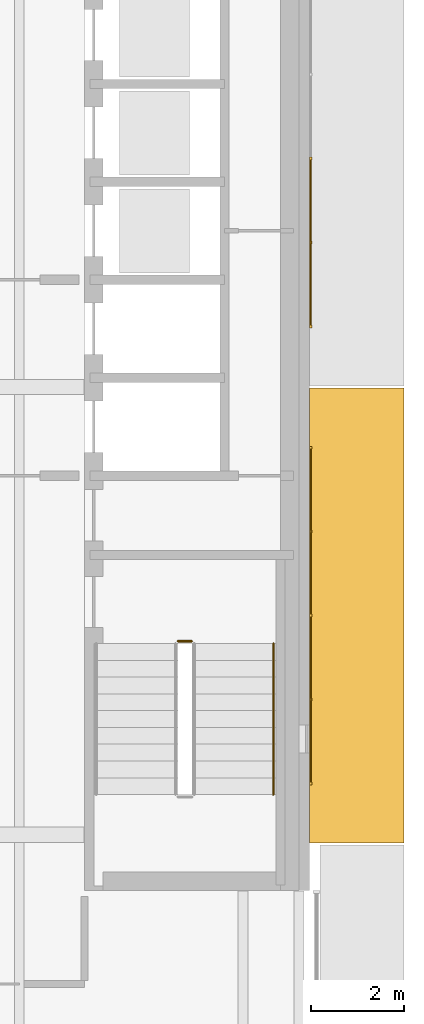
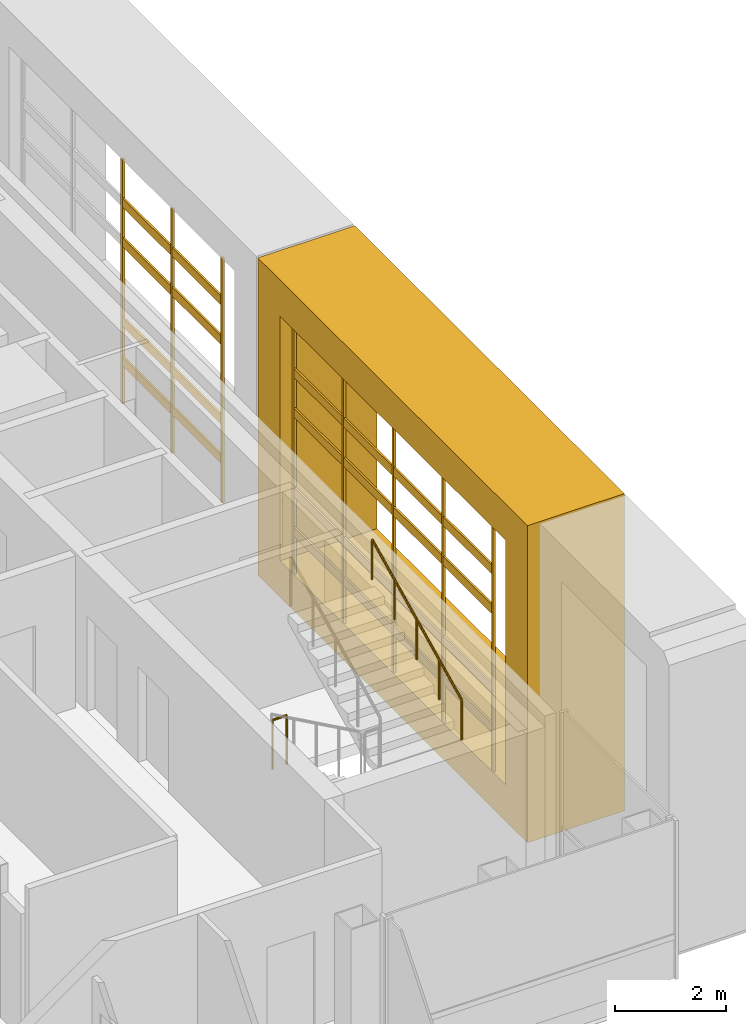
# One storey, part 18 of 21: 21 coverings, 2 railings.
"""IFC4 building model written with IfcOpenShell, lengths in metres."""

from ifc_helpers import new_model, si_unit, direction, frame, origin, origin_2d, place, context, subcontext, project, spatial, polyline, rectangle, circle, outline, extrude, material, type_object, element, save


model = new_model("IFC4")

# Units and contexts
model_context = context("Model", 3, precision=1e-05, world=origin(), true_north=direction((0.0, 1.0)))
body_context = subcontext(model_context, "Body", "Model", "MODEL_VIEW")
ifc_project = project(units=[si_unit("LENGTHUNIT", "METRE"), si_unit("AREAUNIT", "SQUARE_METRE"), si_unit("VOLUMEUNIT", "CUBIC_METRE"), si_unit("PLANEANGLEUNIT", "RADIAN"), si_unit("MASSUNIT", "GRAM", prefix="KILO")], contexts=[model_context])

# Site, building, storey
site_placement = place(None, origin())
site = spatial("IfcSite", under=ifc_project, at=site_placement, CompositionType="ELEMENT")
building_placement = place(site_placement, origin())
building = spatial("IfcBuilding", under=site, at=building_placement, Name="Cobrizo Arcos Hotel Tower", CompositionType="ELEMENT")
storey_placement = place(building_placement, frame((0.0, 0.0, 248.0)))
storey = spatial("IfcBuildingStorey", under=building, at=storey_placement, Name="L65", CompositionType="ELEMENT", Elevation=248.0)

# Coverings
ifc_material_1 = material(Name="Aluminium 6063-T6 anodised bronze", Category="aluminium")
covering_type_1 = type_object("IfcCoveringType", Name="FIN-F 2025", PredefinedType="CLADDING", material=ifc_material_1)
covering_placement = place(storey_placement, frame((20.625, -9.77490234375, 0.0), z_axis=(1.0, 0.0, 0.0), x_axis=(0.0, 1.0, 0.0)))
element("IfcCovering", 1, at=covering_placement, inside=storey, type_object=covering_type_1, Name="Fin frame 384", PredefinedType="CLADDING", context=body_context, shape_type="SweptSolid", body=[
    extrude(outline(polyline([(0.0, 7.0), (0.0, 0.0), (9.75, 0.0), (9.75, 7.0), (0.0, 7.0)]), holes=[polyline([(8.949951171875, 0.800048828125), (0.800048828125, 0.800048828125), (0.800048828125, 6.199951171875), (8.949951171875, 6.199951171875), (8.949951171875, 0.800048828125)])]), origin(), (0.0, 0.0, 1.0), 2.02490234375),
])
ifc_material_2 = material(Name="Aluminium 6063-T6 anodised pale", Category="aluminium")
covering_type_2 = type_object("IfcCoveringType", Name="RS-2 rainscreen rib 60x50", PredefinedType="CLADDING", material=ifc_material_2)
for number, where, z_axis, x_axis, name in (
    (2, (20.64990234375, -8.5, 0.800048828125), (0.0, 0.0, 1.0), (0.0, 1.0, 0.0), "Rainscreen rib 251"),
    (3, (20.64990234375, -6.699951171875, 0.800048828125), (0.0, 0.0, 1.0), (0.0, 1.0, 0.0), "Rainscreen rib 252"),
    (4, (20.64990234375, -4.89990234375, 0.800048828125), (0.0, 0.0, 1.0), (0.0, 1.0, 0.0), "Rainscreen rib 253"),
    (5, (20.64990234375, -3.10009765625, 0.800048828125), (0.0, 0.0, 1.0), (0.0, 1.0, 0.0), "Rainscreen rib 254"),
    (6, (20.64990234375, -1.300048828125, 0.800048828125), (0.0, 0.0, 1.0), (0.0, 1.0, 0.0), "Rainscreen rib 255"),
    (7, (20.64990234375, 1.300048828125, 0.800048828125), (0.0, 0.0, 1.0), (0.0, 1.0, 0.0), "Rainscreen rib 256"),
    (8, (20.64990234375, 3.10009765625, 0.800048828125), (0.0, 0.0, 1.0), (0.0, 1.0, 0.0), "Rainscreen rib 257"),
    (9, (20.64990234375, 4.89990234375, 0.800048828125), (0.0, 0.0, 1.0), (0.0, 1.0, 0.0), "Rainscreen rib 258"),
):
    element("IfcCovering", number, at=place(storey_placement, frame(where, z_axis=z_axis, x_axis=x_axis)), inside=storey, type_object=covering_type_2, Name=name, PredefinedType="CLADDING", context=body_context, shape_type="SweptSolid", body=[
        extrude(rectangle(XDim=0.06005859375, YDim=0.050048828125, at=origin_2d()), origin(), (0.0, 0.0, 1.0), 5.39990234375),
    ])
covering_type_3 = type_object("IfcCoveringType", Name="RS-3 rainscreen louvre slat 200x40", PredefinedType="CLADDING", material=ifc_material_2)
for number, where, z_axis, x_axis, name in (
    (10, (20.64501953125, -6.699951171875, 1.64990234375), (0.0, 0.0, 1.0), (0.0, 1.0, 0.0), "Rainscreen slat 69"),
    (11, (20.64501953125, -6.699951171875, 2.52490234375), (0.0, 0.0, 1.0), (0.0, 1.0, 0.0), "Rainscreen slat 70"),
    (12, (20.64501953125, -3.10009765625, 1.64990234375), (0.0, 0.0, 1.0), (0.0, 1.0, 0.0), "Rainscreen slat 71"),
    (13, (20.64501953125, -3.10009765625, 2.52490234375), (0.0, 0.0, 1.0), (0.0, 1.0, 0.0), "Rainscreen slat 72"),
    (14, (20.64501953125, -6.699951171875, 4.27490234375), (0.0, 0.0, 1.0), (0.0, 1.0, 0.0), "Rainscreen slat 73"),
    (15, (20.64501953125, -6.699951171875, 5.14990234375), (0.0, 0.0, 1.0), (0.0, 1.0, 0.0), "Rainscreen slat 74"),
    (16, (20.64501953125, -3.10009765625, 4.27490234375), (0.0, 0.0, 1.0), (0.0, 1.0, 0.0), "Rainscreen slat 75"),
    (17, (20.64501953125, -3.10009765625, 5.14990234375), (0.0, 0.0, 1.0), (0.0, 1.0, 0.0), "Rainscreen slat 76"),
    (18, (20.64501953125, 3.10009765625, 1.64990234375), (0.0, 0.0, 1.0), (0.0, 1.0, 0.0), "Rainscreen slat 77"),
    (19, (20.64501953125, 3.10009765625, 2.52490234375), (0.0, 0.0, 1.0), (0.0, 1.0, 0.0), "Rainscreen slat 78"),
    (20, (20.64501953125, 3.10009765625, 4.27490234375), (0.0, 0.0, 1.0), (0.0, 1.0, 0.0), "Rainscreen slat 81"),
    (21, (20.64501953125, 3.10009765625, 5.14990234375), (0.0, 0.0, 1.0), (0.0, 1.0, 0.0), "Rainscreen slat 82"),
):
    element("IfcCovering", number, at=place(storey_placement, frame(where, z_axis=z_axis, x_axis=x_axis)), inside=storey, type_object=covering_type_3, Name=name, PredefinedType="CLADDING", context=body_context, shape_type="SweptSolid", body=[
        extrude(rectangle(XDim=3.5400390625, YDim=0.0400390625, at=origin_2d()), origin(), (0.0, 0.0, 1.0), 0.199951171875),
    ])

# Railings
ifc_material_3 = material(Name="Stainless steel railing", Category="steel")
railing_type_1 = type_object("IfcRailingType", Name="Stair guard 1100", PredefinedType="GUARDRAIL", material=ifc_material_3)
railing_1_placement = place(storey_placement, frame((17.800048828125, -5.449951171875, 0.0)))
element("IfcRailing", 22, at=railing_1_placement, inside=storey, type_object=railing_type_1, Name="L65 ST-E stair guard 4", PredefinedType="GUARDRAIL", context=body_context, shape_type="SweptSolid", body=[
    extrude(circle(Radius=0.02392578125, at=origin_2d()), frame((0.0, 0.0, 1.076171875), z_axis=(1.0, 0.0, 0.0), x_axis=(0.0, 1.0, 0.0)), (0.0, 0.0, 1.0), 0.300048828125),
    extrude(circle(Radius=0.02099609375, at=origin_2d()), origin(), (0.0, 0.0, 1.0), 1.052001953125),
    extrude(circle(Radius=0.02099609375, at=origin_2d()), frame((0.300048828125, 0.0, 0.0)), (0.0, 0.0, 1.0), 1.052001953125),
])
railing_type_2 = type_object("IfcRailingType", Name="Stair handrail", PredefinedType="HANDRAIL", material=ifc_material_3)
railing_2_placement = place(storey_placement, frame((19.85009765625, -8.739990234375, 1.925048828125)))
element("IfcRailing", 23, at=railing_2_placement, inside=storey, type_object=railing_type_2, Name="L65 ST-E stair handrail 2", PredefinedType="HANDRAIL", context=body_context, shape_type="SweptSolid", body=[
    extrude(circle(Radius=0.02392578125, at=origin_2d()), frame((0.0, 0.0, 0.8759765625), z_axis=(0.0, 0.899372665325, 0.437182809435), x_axis=(-1.0, 0.0, 0.0)), (0.0, 0.0, 1.0), 3.6025390625),
    extrude(circle(Radius=0.02099609375, at=origin_2d()), origin(), (0.0, 0.0, 1.0), 0.851806640625),
    extrude(circle(Radius=0.02099609375, at=origin_2d()), frame((0.0, 0.81005859375, 0.393798828125)), (0.0, 0.0, 1.0), 0.851806640625),
    extrude(circle(Radius=0.02099609375, at=origin_2d()), frame((0.0, 1.6201171875, 0.78759765625)), (0.0, 0.0, 1.0), 0.851806640625),
    extrude(circle(Radius=0.02099609375, at=origin_2d()), frame((0.0, 2.429931640625, 1.18115234375)), (0.0, 0.0, 1.0), 0.851806640625),
    extrude(circle(Radius=0.02099609375, at=origin_2d()), frame((0.0, 3.239990234375, 1.574951171875)), (0.0, 0.0, 1.0), 0.851806640625),
])

save(model, "model.ifc")
